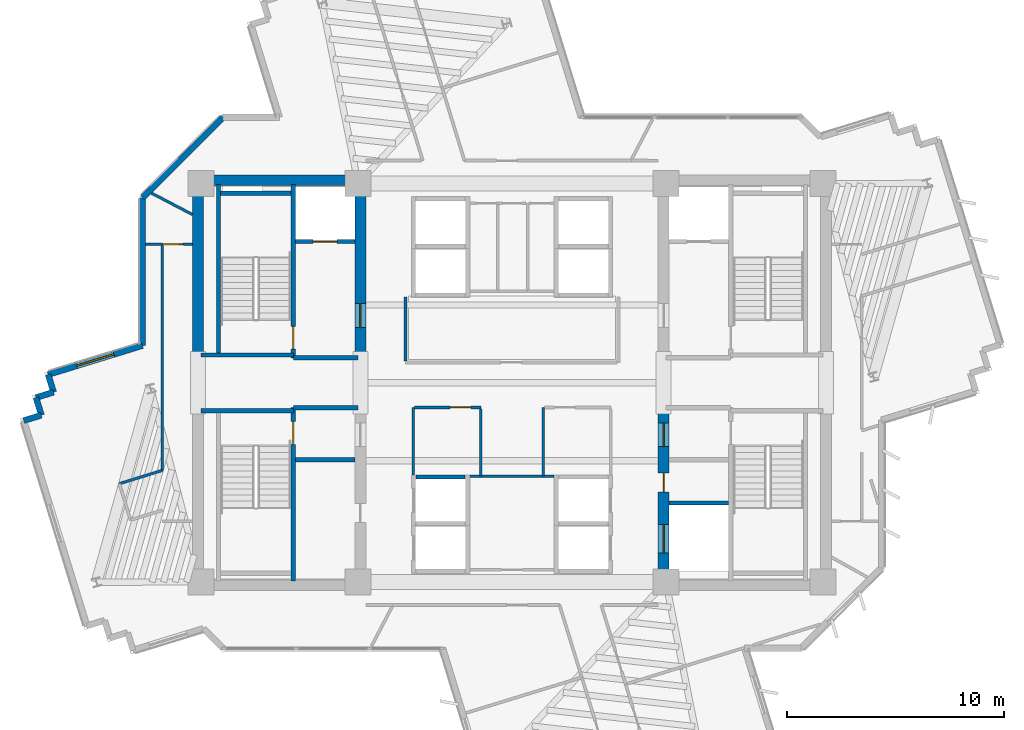
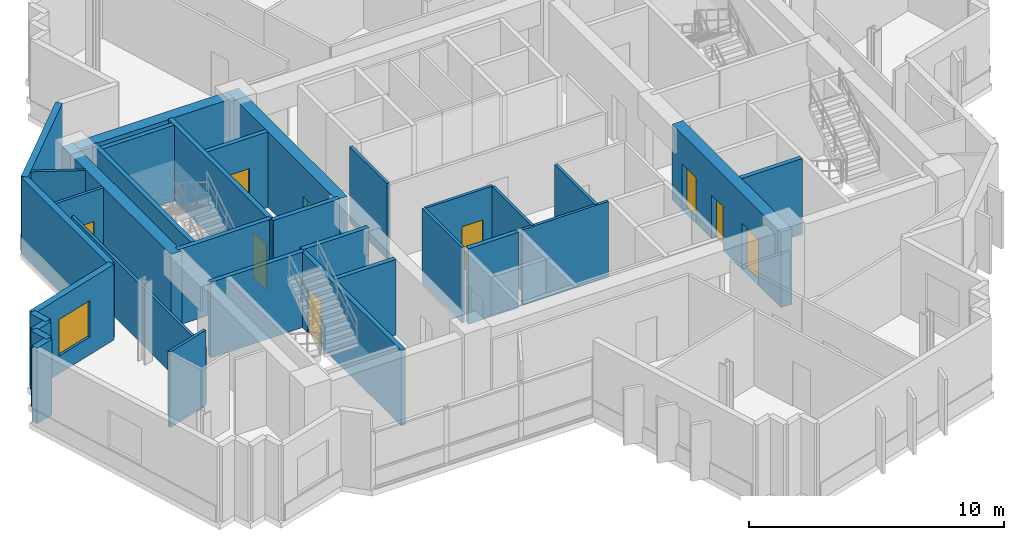
# One storey, part 6 of 13: 33 walls, 9 doors, 1 window, 10 openings.
"""IFC4 building model written with IfcOpenShell, lengths in metres."""

from ifc_helpers import new_model, si_unit, direction, frame, frame_2d, origin, place, context, subcontext, project, spatial, rectangle, extrude, source, transform, mapped, material, layer, layer_set, type_object, element, fill, save


model = new_model("IFC4")

# Units and contexts
model_context = context("Model", 3, precision=1e-05, world=origin(), true_north=direction((0.0, 1.0)))
body_context = subcontext(model_context, "Body", "Model", "MODEL_VIEW")
ifc_project = project(units=[si_unit("LENGTHUNIT", "METRE"), si_unit("AREAUNIT", "SQUARE_METRE"), si_unit("VOLUMEUNIT", "CUBIC_METRE"), si_unit("PLANEANGLEUNIT", "RADIAN"), si_unit("MASSUNIT", "GRAM", prefix="KILO")], contexts=[model_context])

# Site, building, storey
site_placement = place(None, origin())
site = spatial("IfcSite", under=ifc_project, at=site_placement, CompositionType="ELEMENT")
building_placement = place(site_placement, origin())
building = spatial("IfcBuilding", under=site, at=building_placement, Name="Zahravan Cultural Tower", CompositionType="ELEMENT")
storey_placement = place(building_placement, frame((0.0, 0.0, 213.60009765625)))
storey = spatial("IfcBuildingStorey", under=building, at=storey_placement, Name="L50", CompositionType="ELEMENT", Elevation=213.60009765625)

# Wall, opening, door
ifc_material_1 = material(Name="Concrete C60/75", Category="concrete")
ifc_layer_1 = layer(ifc_material_1, 0.5)
ifc_layer_set_1 = layer_set([ifc_layer_1], Name="Concrete C60/75")
wall_type_1 = type_object("IfcWallType", Name="CW-SHEAR-500-C60", PredefinedType="SHEAR", material=ifc_layer_set_1)
wall_1_placement = place(storey_placement, frame((29.0, 28.050048828125, 0.0), z_axis=(0.0, 0.0, 1.0), x_axis=(0.0, 1.0, 0.0)))
wall_1 = element("IfcWall", 1, at=wall_1_placement, inside=storey, type_object=wall_type_1, Name="L50 Core Shear Wall CW-W-EN-L50", PredefinedType="SHEAR", context=body_context, shape_type="SweptSolid", body=[
    extrude(rectangle(XDim=8.550048828125, YDim=0.5, at=frame_2d((4.27490234375, 0.0))), origin(), (0.0, 0.0, 1.0), 3.619873046875),
])
opening_1_placement = place(wall_1_placement, frame((1.5, 0.0, 0.0)))
opening_1 = element("IfcOpeningElement", 2, at=opening_1_placement, cuts=wall_1, Name="Opening D-L50-05", PredefinedType="OPENING", context=body_context, shape_type="SweptSolid", body=[
    extrude(rectangle(XDim=1.10009765625, YDim=2.199951171875, at=frame_2d((0.550048828125, 1.10009765625))), frame((0.0, 0.260009765625, 0.0), z_axis=(0.0, -1.0, 0.0), x_axis=(1.0, 0.0, 0.0)), (0.0, 0.0, 1.0), 0.52001953125),
])
ifc_material_2 = material(Name="Steel ASTM A572 Grade 50", Category="steel")
door_type_1 = type_object("IfcDoorType", Name="DR-LOBBY-1100", OperationType="NOTDEFINED", PredefinedType="DOOR", material=ifc_material_2)
shared_shape_1 = source(origin(), body_context, "Body", "SweptSolid", [
    extrude(rectangle(XDim=1.10009765625, YDim=2.199951171875, at=frame_2d((0.550048828125, 1.10009765625))), frame((0.0, 0.02490234375, 0.0), z_axis=(0.0, -1.0, 0.0), x_axis=(1.0, 0.0, 0.0)), (0.0, 0.0, 1.0), 0.050048828125),
])
door_1_placement = place(opening_1_placement, origin())
door_1 = element("IfcDoor", 3, at=door_1_placement, inside=storey, type_object=door_type_1, Name="L50 Door D-L50-05", OperationType="SINGLE_SWING_RIGHT", OverallHeight=2.199951171875, OverallWidth=1.10009765625, PredefinedType="DOOR", context=body_context, shape_type="MappedRepresentation", body=[
    mapped(shared_shape_1, transform((0.0, 0.0, 0.0), x_axis=(1.0, 0.0, 0.0), y_axis=(0.0, 1.0, 0.0), z_axis=(0.0, 0.0, 1.0), scale=1.0)),
])
fill(opening_1, door_1)

# Wall, openings, doors
wall_2_placement = place(storey_placement, frame((43.0, 17.39990234375, 0.0), z_axis=(0.0, 0.0, 1.0), x_axis=(0.0, 1.0, 0.0)))
wall_2 = element("IfcWall", 4, at=wall_2_placement, inside=storey, type_object=wall_type_1, Name="L50 Core Shear Wall CW-E-WS-L50", PredefinedType="SHEAR", context=body_context, shape_type="SweptSolid", body=[
    extrude(rectangle(XDim=8.550048828125, YDim=0.5, at=frame_2d((4.27490234375, 0.0))), origin(), (0.0, 0.0, 1.0), 3.619873046875),
])
opening_2_placement = place(wall_2_placement, frame((6.64990234375, 0.0, 0.0)))
opening_2 = element("IfcOpeningElement", 5, at=opening_2_placement, cuts=wall_2, Name="Opening D-L50-08", PredefinedType="OPENING", context=body_context, shape_type="SweptSolid", body=[
    extrude(rectangle(XDim=1.10009765625, YDim=2.199951171875, at=frame_2d((0.550048828125, 1.10009765625))), frame((0.0, 0.260009765625, 0.0), z_axis=(0.0, -1.0, 0.0), x_axis=(1.0, 0.0, 0.0)), (0.0, 0.0, 1.0), 0.52001953125),
])
opening_3_placement = place(wall_2_placement, frame((1.75, 0.0, 0.0)))
opening_3 = element("IfcOpeningElement", 6, at=opening_3_placement, cuts=wall_2, Name="Opening LD-L50-03", PredefinedType="OPENING", context=body_context, shape_type="SweptSolid", body=[
    extrude(rectangle(XDim=1.300048828125, YDim=2.199951171875, at=frame_2d((0.64990234375, 1.10009765625))), frame((0.0, 0.260009765625, 0.0), z_axis=(0.0, -1.0, 0.0), x_axis=(1.0, 0.0, 0.0)), (0.0, 0.0, 1.0), 0.52001953125),
])
opening_4_placement = place(wall_2_placement, frame((4.550048828125, 0.0, 0.0)))
opening_4 = element("IfcOpeningElement", 7, at=opening_4_placement, cuts=wall_2, Name="Opening D-L50-10", PredefinedType="OPENING", context=body_context, shape_type="SweptSolid", body=[
    extrude(rectangle(XDim=0.8798828125, YDim=2.10009765625, at=frame_2d((0.43994140625, 1.050048828125))), frame((0.0, 0.260009765625, 0.0), z_axis=(0.0, -1.0, 0.0), x_axis=(1.0, 0.0, 0.0)), (0.0, 0.0, 1.0), 0.52001953125),
])
door_2_placement = place(opening_2_placement, origin())
door_2 = element("IfcDoor", 8, at=door_2_placement, inside=storey, type_object=door_type_1, Name="L50 Door D-L50-08", OperationType="SINGLE_SWING_LEFT", OverallHeight=2.199951171875, OverallWidth=1.10009765625, PredefinedType="DOOR", context=body_context, shape_type="MappedRepresentation", body=[
    mapped(shared_shape_1, transform((0.0, 0.0, 0.0), x_axis=(1.0, 0.0, 0.0), y_axis=(0.0, 1.0, 0.0), z_axis=(0.0, 0.0, 1.0), scale=1.0)),
])
fill(opening_2, door_2)
door_type_2 = type_object("IfcDoorType", Name="DR-LIFT-1300", OperationType="DOUBLE_DOOR_SLIDING", PredefinedType="DOOR", material=ifc_material_2)
shared_shape_2 = source(origin(), body_context, "Body", "SweptSolid", [
    extrude(rectangle(XDim=1.300048828125, YDim=2.199951171875, at=frame_2d((0.64990234375, 1.10009765625))), frame((0.0, 0.02490234375, 0.0), z_axis=(0.0, -1.0, 0.0), x_axis=(1.0, 0.0, 0.0)), (0.0, 0.0, 1.0), 0.050048828125),
])
door_3_placement = place(opening_3_placement, origin())
door_3 = element("IfcDoor", 9, at=door_3_placement, inside=storey, type_object=door_type_2, Name="L50 Door LD-L50-03", OperationType="DOUBLE_DOOR_SLIDING", OverallHeight=2.199951171875, OverallWidth=1.300048828125, PredefinedType="DOOR", context=body_context, shape_type="MappedRepresentation", body=[
    mapped(shared_shape_2, transform((0.0, 0.0, 0.0), x_axis=(1.0, 0.0, 0.0), y_axis=(0.0, 1.0, 0.0), z_axis=(0.0, 0.0, 1.0), scale=1.0)),
])
fill(opening_3, door_3)
door_type_3 = type_object("IfcDoorType", Name="DR-SVC-880", OperationType="NOTDEFINED", PredefinedType="DOOR", material=ifc_material_2)
shared_shape_3 = source(origin(), body_context, "Body", "SweptSolid", [
    extrude(rectangle(XDim=0.8798828125, YDim=2.10009765625, at=frame_2d((0.43994140625, 1.050048828125))), frame((0.0, 0.02490234375, 0.0), z_axis=(0.0, -1.0, 0.0), x_axis=(1.0, 0.0, 0.0)), (0.0, 0.0, 1.0), 0.050048828125),
])
door_4_placement = place(opening_4_placement, origin())
door_4 = element("IfcDoor", 10, at=door_4_placement, inside=storey, type_object=door_type_3, Name="L50 Door D-L50-10", OperationType="SINGLE_SWING_LEFT", OverallHeight=2.10009765625, OverallWidth=0.8798828125, PredefinedType="DOOR", context=body_context, shape_type="MappedRepresentation", body=[
    mapped(shared_shape_3, transform((0.0, 0.0, 0.0), x_axis=(1.0, 0.0, 0.0), y_axis=(0.0, 1.0, 0.0), z_axis=(0.0, 0.0, 1.0), scale=1.0)),
])
fill(opening_4, door_4)

# Wall, opening, window
ifc_material_3 = material(Name="Precast concrete C40/50", Category="concrete")
ifc_layer_2 = layer(ifc_material_3, 0.280029296875)
ifc_layer_set_2 = layer_set([ifc_layer_2], Name="Precast concrete C40/50")
wall_type_2 = type_object("IfcWallType", Name="EW-TC-280", PredefinedType="SOLIDWALL", material=ifc_layer_set_2)
wall_3_placement = place(storey_placement, frame((14.581787109375, 27.37890625, 0.0), z_axis=(0.0, 0.0, 1.0), x_axis=(0.955788269664, 0.294055749089, 0.0)))
wall_3 = element("IfcWall", 11, at=wall_3_placement, inside=storey, type_object=wall_type_2, Name="L50 Exterior Masonry Frame Wall 37", PredefinedType="SOLIDWALL", context=body_context, shape_type="SweptSolid", body=[
    extrude(rectangle(XDim=4.559814453125, YDim=0.280029296875, at=frame_2d((2.27978515625, 0.0))), origin(), (0.0, 0.0, 1.0), 3.619873046875),
])
opening_5_placement = place(wall_3_placement, frame((1.3798828125, 0.0, 0.85009765625)))
opening_5 = element("IfcOpeningElement", 12, at=opening_5_placement, cuts=wall_3, Name="Opening WN-02", PredefinedType="OPENING", context=body_context, shape_type="SweptSolid", body=[
    extrude(rectangle(XDim=1.800048828125, YDim=1.75, at=frame_2d((0.89990234375, 0.875))), frame((0.0, 0.14990234375, 0.0), z_axis=(0.0, -1.0, 0.0), x_axis=(1.0, 0.0, 0.0)), (0.0, 0.0, 1.0), 0.300048828125),
])
ifc_material_4 = material(Name="Low-E solar-control double glazing", Category="glass")
window_type = type_object("IfcWindowType", Name="WN-REC-1800X1750", PartitioningType="DOUBLE_PANEL_VERTICAL", PredefinedType="WINDOW", material=ifc_material_4)
shared_shape_4 = source(origin(), body_context, "Body", "SweptSolid", [
    extrude(rectangle(XDim=1.800048828125, YDim=1.75, at=frame_2d((0.89990234375, 0.875))), frame((0.0, 0.030029296875, 0.0), z_axis=(0.0, -1.0, 0.0), x_axis=(1.0, 0.0, 0.0)), (0.0, 0.0, 1.0), 0.06005859375),
])
window_placement = place(opening_5_placement, origin())
window = element("IfcWindow", 13, at=window_placement, inside=storey, type_object=window_type, Name="L50 Recessed Solar Window 08", OverallHeight=1.75, OverallWidth=1.800048828125, PartitioningType="DOUBLE_PANEL_VERTICAL", PredefinedType="WINDOW", context=body_context, shape_type="MappedRepresentation", body=[
    mapped(shared_shape_4, transform((0.0, 0.0, 0.0), x_axis=(1.0, 0.0, 0.0), y_axis=(0.0, 1.0, 0.0), z_axis=(0.0, 0.0, 1.0), scale=1.0)),
])
fill(opening_5, window)

# Wall, opening, door
ifc_material_5 = material(Name="Gypsum plasterboard partition")
ifc_layer_3 = layer(ifc_material_5, 0.125)
ifc_layer_set_3 = layer_set([ifc_layer_3], Name="Gypsum plasterboard partition")
wall_type_3 = type_object("IfcWallType", Name="W-PART-125", PredefinedType="PARTITIONING", material=ifc_layer_set_3)
wall_4_placement = place(storey_placement, frame((31.507568359375, 25.860107421875, 0.0), z_axis=(0.0, 0.0, 1.0), x_axis=(1.0, 0.0, 0.0)))
wall_4 = element("IfcWall", 14, at=wall_4_placement, inside=storey, type_object=wall_type_3, Name="L50 Interior Wall 067", PredefinedType="PARTITIONING", context=body_context, shape_type="SweptSolid", body=[
    extrude(rectangle(XDim=3.052490234375, YDim=0.125, at=frame_2d((1.5263671875, 0.0))), origin(), (0.0, 0.0, 1.0), 3.619873046875),
])
opening_6_placement = place(wall_4_placement, frame((1.639892578125, 0.0, 0.0)))
opening_6 = element("IfcOpeningElement", 15, at=opening_6_placement, cuts=wall_4, Name="Opening D-L50-11", PredefinedType="OPENING", context=body_context, shape_type="SweptSolid", body=[
    extrude(rectangle(XDim=0.949951171875, YDim=2.14990234375, at=frame_2d((0.47509765625, 1.074951171875))), frame((0.0, 0.072509765625, 0.0), z_axis=(0.0, -1.0, 0.0), x_axis=(1.0, 0.0, 0.0)), (0.0, 0.0, 1.0), 0.14501953125),
])
ifc_material_6 = material(Name="Anodised bronze-aluminium mullion", Category="aluminium")
door_type_4 = type_object("IfcDoorType", Name="DR-ROOM-950", OperationType="NOTDEFINED", PredefinedType="DOOR", material=ifc_material_6)
shared_shape_5 = source(origin(), body_context, "Body", "SweptSolid", [
    extrude(rectangle(XDim=0.949951171875, YDim=2.14990234375, at=frame_2d((0.47509765625, 1.074951171875))), frame((0.0, 0.02490234375, 0.0), z_axis=(0.0, -1.0, 0.0), x_axis=(1.0, 0.0, 0.0)), (0.0, 0.0, 1.0), 0.050048828125),
])
door_5_placement = place(opening_6_placement, origin())
door_5 = element("IfcDoor", 16, at=door_5_placement, inside=storey, type_object=door_type_4, Name="L50 Door D-L50-11", OperationType="SINGLE_SWING_RIGHT", OverallHeight=2.14990234375, OverallWidth=0.949951171875, PredefinedType="DOOR", context=body_context, shape_type="MappedRepresentation", body=[
    mapped(shared_shape_5, transform((0.0, 0.0, 0.0), x_axis=(1.0, 0.0, 0.0), y_axis=(0.0, 1.0, 0.0), z_axis=(0.0, 0.0, 1.0), scale=1.0)),
])
fill(opening_6, door_5)

wall_5_placement = place(storey_placement, frame((21.2451171875, 33.39990234375, 0.0), z_axis=(0.0, 0.0, 1.0), x_axis=(-0.999994277874, -0.003382930575, 0.0)))
wall_5 = element("IfcWall", 17, at=wall_5_placement, inside=storey, type_object=wall_type_3, Name="L50 Interior Wall 107", PredefinedType="PARTITIONING", context=body_context, shape_type="SweptSolid", body=[
    extrude(rectangle(XDim=2.1650390625, YDim=0.125, at=frame_2d((1.08251953125, 0.0))), origin(), (0.0, 0.0, 1.0), 3.619873046875),
])
opening_7_placement = place(wall_5_placement, frame((0.42529296875, 0.0, 0.0)))
opening_7 = element("IfcOpeningElement", 18, at=opening_7_placement, cuts=wall_5, Name="Opening D-L50-24", PredefinedType="OPENING", context=body_context, shape_type="SweptSolid", body=[
    extrude(rectangle(XDim=0.949951171875, YDim=2.14990234375, at=frame_2d((0.47509765625, 1.074951171875))), frame((0.0, 0.072509765625, 0.0), z_axis=(0.0, -1.0, 0.0), x_axis=(1.0, 0.0, 0.0)), (0.0, 0.0, 1.0), 0.14501953125),
])
door_6_placement = place(opening_7_placement, origin())
door_6 = element("IfcDoor", 19, at=door_6_placement, inside=storey, type_object=door_type_4, Name="L50 Door D-L50-24", OperationType="SINGLE_SWING_LEFT", OverallHeight=2.14990234375, OverallWidth=0.949951171875, PredefinedType="DOOR", context=body_context, shape_type="MappedRepresentation", body=[
    mapped(shared_shape_5, transform((0.0, 0.0, 0.0), x_axis=(1.0, 0.0, 0.0), y_axis=(0.0, 1.0, 0.0), z_axis=(0.0, 0.0, 1.0), scale=1.0)),
])
fill(opening_7, door_6)

ifc_material_7 = material(Name="Concrete C45/55", Category="concrete")
ifc_layer_4 = layer(ifc_material_7, 0.199951171875)
ifc_layer_set_4 = layer_set([ifc_layer_4], Name="Concrete C45/55")
wall_type_4 = type_object("IfcWallType", Name="W-SHAFT-200", PredefinedType="SOLIDWALL", material=ifc_layer_set_4)
wall_6_placement = place(storey_placement, frame((25.89990234375, 17.85009765625, 0.0), z_axis=(0.0, 0.0, 1.0), x_axis=(0.0, 1.0, 0.0)))
wall_6 = element("IfcWall", 20, at=wall_6_placement, inside=storey, type_object=wall_type_4, Name="L50 Interior Wall 005", PredefinedType="SOLIDWALL", context=body_context, shape_type="SweptSolid", body=[
    extrude(rectangle(XDim=8.0, YDim=0.199951171875, at=frame_2d((4.0, 0.0))), origin(), (0.0, 0.0, 1.0), 3.619873046875),
])
opening_8_placement = place(wall_6_placement, frame((6.300048828125, 0.0, 0.0)))
opening_8 = element("IfcOpeningElement", 21, at=opening_8_placement, cuts=wall_6, Name="Opening D-L50-04", PredefinedType="OPENING", context=body_context, shape_type="SweptSolid", body=[
    extrude(rectangle(XDim=1.050048828125, YDim=2.14990234375, at=frame_2d((0.52490234375, 1.074951171875))), frame((0.0, 0.10986328125, 0.0), z_axis=(0.0, -1.0, 0.0), x_axis=(1.0, 0.0, 0.0)), (0.0, 0.0, 1.0), 0.219970703125),
])
door_type_5 = type_object("IfcDoorType", Name="DR-STAIR-1050", OperationType="NOTDEFINED", PredefinedType="DOOR", material=ifc_material_2)
shared_shape_6 = source(origin(), body_context, "Body", "SweptSolid", [
    extrude(rectangle(XDim=1.050048828125, YDim=2.14990234375, at=frame_2d((0.52490234375, 1.074951171875))), frame((0.0, 0.02490234375, 0.0), z_axis=(0.0, -1.0, 0.0), x_axis=(1.0, 0.0, 0.0)), (0.0, 0.0, 1.0), 0.050048828125),
])
door_7_placement = place(opening_8_placement, origin())
door_7 = element("IfcDoor", 22, at=door_7_placement, inside=storey, type_object=door_type_5, Name="L50 Door D-L50-04", OperationType="SINGLE_SWING_LEFT", OverallHeight=2.14990234375, OverallWidth=1.050048828125, PredefinedType="DOOR", context=body_context, shape_type="MappedRepresentation", body=[
    mapped(shared_shape_6, transform((0.0, 0.0, 0.0), x_axis=(1.0, 0.0, 0.0), y_axis=(0.0, 1.0, 0.0), z_axis=(0.0, 0.0, 1.0), scale=1.0)),
])
fill(opening_8, door_7)

wall_7_placement = place(storey_placement, frame((25.89990234375, 28.14990234375, 0.0), z_axis=(0.0, 0.0, 1.0), x_axis=(0.0, 1.0, 0.0)))
wall_7 = element("IfcWall", 23, at=wall_7_placement, inside=storey, type_object=wall_type_4, Name="L50 Interior Wall 006", PredefinedType="SOLIDWALL", context=body_context, shape_type="SweptSolid", body=[
    extrude(rectangle(XDim=8.0, YDim=0.199951171875, at=frame_2d((4.0, 0.0))), origin(), (0.0, 0.0, 1.0), 3.619873046875),
])
opening_9_placement = place(wall_7_placement, frame((0.39990234375, 0.0, 0.0)))
opening_9 = element("IfcOpeningElement", 24, at=opening_9_placement, cuts=wall_7, Name="Opening D-L50-01", PredefinedType="OPENING", context=body_context, shape_type="SweptSolid", body=[
    extrude(rectangle(XDim=1.050048828125, YDim=2.14990234375, at=frame_2d((0.52490234375, 1.074951171875))), frame((0.0, 0.10986328125, 0.0), z_axis=(0.0, -1.0, 0.0), x_axis=(1.0, 0.0, 0.0)), (0.0, 0.0, 1.0), 0.219970703125),
])
door_8_placement = place(opening_9_placement, origin())
door_8 = element("IfcDoor", 25, at=door_8_placement, inside=storey, type_object=door_type_5, Name="L50 Door D-L50-01", OperationType="SINGLE_SWING_RIGHT", OverallHeight=2.14990234375, OverallWidth=1.050048828125, PredefinedType="DOOR", context=body_context, shape_type="MappedRepresentation", body=[
    mapped(shared_shape_6, transform((0.0, 0.0, 0.0), x_axis=(1.0, 0.0, 0.0), y_axis=(0.0, 1.0, 0.0), z_axis=(0.0, 0.0, 1.0), scale=1.0)),
])
fill(opening_9, door_8)

wall_8_placement = place(storey_placement, frame((26.0, 33.52001953125, 0.0), z_axis=(0.0, 0.0, 1.0), x_axis=(1.0, 0.0, 0.0)))
wall_8 = element("IfcWall", 26, at=wall_8_placement, inside=storey, type_object=wall_type_4, Name="L50 Interior Wall 021", PredefinedType="SOLIDWALL", context=body_context, shape_type="SweptSolid", body=[
    extrude(rectangle(XDim=2.75, YDim=0.199951171875, at=frame_2d((1.375, 0.0))), origin(), (0.0, 0.0, 1.0), 3.619873046875),
])
opening_10_placement = place(wall_8_placement, frame((0.820068359375, 0.0, 0.0)))
opening_10 = element("IfcOpeningElement", 27, at=opening_10_placement, cuts=wall_8, Name="Opening LD-L50-01", PredefinedType="OPENING", context=body_context, shape_type="SweptSolid", body=[
    extrude(rectangle(XDim=1.10009765625, YDim=2.14990234375, at=frame_2d((0.550048828125, 1.074951171875))), frame((0.0, 0.10986328125, 0.0), z_axis=(0.0, -1.0, 0.0), x_axis=(1.0, 0.0, 0.0)), (0.0, 0.0, 1.0), 0.219970703125),
])
door_type_6 = type_object("IfcDoorType", Name="DR-LIFT-1100", OperationType="DOUBLE_DOOR_SLIDING", PredefinedType="DOOR", material=ifc_material_2)
shared_shape_7 = source(origin(), body_context, "Body", "SweptSolid", [
    extrude(rectangle(XDim=1.10009765625, YDim=2.14990234375, at=frame_2d((0.550048828125, 1.074951171875))), frame((0.0, 0.02490234375, 0.0), z_axis=(0.0, -1.0, 0.0), x_axis=(1.0, 0.0, 0.0)), (0.0, 0.0, 1.0), 0.050048828125),
])
door_9_placement = place(opening_10_placement, origin())
door_9 = element("IfcDoor", 28, at=door_9_placement, inside=storey, type_object=door_type_6, Name="L50 Door LD-L50-01", OperationType="DOUBLE_DOOR_SLIDING", OverallHeight=2.14990234375, OverallWidth=1.10009765625, PredefinedType="DOOR", context=body_context, shape_type="MappedRepresentation", body=[
    mapped(shared_shape_7, transform((0.0, 0.0, 0.0), x_axis=(1.0, 0.0, 0.0), y_axis=(0.0, 1.0, 0.0), z_axis=(0.0, 0.0, 1.0), scale=1.0)),
])
fill(opening_10, door_9)

# Walls
shared_shape_8 = source(origin(), body_context, "Body", "SweptSolid", [
    extrude(rectangle(XDim=8.550048828125, YDim=0.5, at=frame_2d((4.27490234375, 0.0))), origin(), (0.0, 0.0, 1.0), 3.619873046875),
])
wall_9_placement = place(storey_placement, frame((21.5, 28.050048828125, 0.0), z_axis=(0.0, 0.0, 1.0), x_axis=(0.0, 1.0, 0.0)))
element("IfcWall", 29, at=wall_9_placement, inside=storey, type_object=wall_type_1, Name="L50 Core Shear Wall CW-W-WN-L50", PredefinedType="SHEAR", context=body_context, shape_type="MappedRepresentation", body=[
    mapped(shared_shape_8, transform((0.0, 0.0, 0.0), x_axis=(1.0, 0.0, 0.0), y_axis=(0.0, 1.0, 0.0), z_axis=(0.0, 0.0, 1.0), scale=1.0)),
])
shared_shape_9 = source(origin(), body_context, "Body", "SweptSolid", [
    extrude(rectangle(XDim=7.0, YDim=0.5, at=frame_2d((3.5, 0.0))), origin(), (0.0, 0.0, 1.0), 3.619873046875),
])
wall_10_placement = place(storey_placement, frame((21.75, 36.35009765625, 0.0), z_axis=(0.0, 0.0, 1.0), x_axis=(1.0, 0.0, 0.0)))
element("IfcWall", 30, at=wall_10_placement, inside=storey, type_object=wall_type_1, Name="L50 Core Shear Wall CW-W-N-L50", PredefinedType="SHEAR", context=body_context, shape_type="MappedRepresentation", body=[
    mapped(shared_shape_9, transform((0.0, 0.0, 0.0), x_axis=(1.0, 0.0, 0.0), y_axis=(0.0, 1.0, 0.0), z_axis=(0.0, 0.0, 1.0), scale=1.0)),
])
shared_shape_10 = source(origin(), body_context, "Body", "SweptSolid", [
    extrude(rectangle(XDim=0.85009765625, YDim=0.280029296875, at=frame_2d((0.425048828125, 0.0))), origin(), (0.0, 0.0, 1.0), 3.619873046875),
])
for number, where, z_axis, x_axis, name in (
    (31, (13.456787109375, 25.254150390625, 0.0), (0.0, 0.0, 1.0), (0.955779008722, 0.294085848838, 0.0), "L50 Exterior Masonry Frame Wall 33"),
    (32, (14.019287109375, 26.31640625, 0.0), (0.0, 0.0, 1.0), (0.955779008722, 0.294085848838, 0.0), "L50 Exterior Masonry Frame Wall 35"),
    (33, (14.831787109375, 26.56640625, 0.0), (0.0, 0.0, 1.0), (-0.294085848838, 0.955779008722, 0.0), "L50 Exterior Masonry Frame Wall 36"),
):
    element("IfcWall", number, at=place(storey_placement, frame(where, z_axis=z_axis, x_axis=x_axis)), inside=storey, type_object=wall_type_2, Name=name, PredefinedType="SOLIDWALL", context=body_context, shape_type="MappedRepresentation", body=[
        mapped(shared_shape_10, transform((0.0, 0.0, 0.0), x_axis=(1.0, 0.0, 0.0), y_axis=(0.0, 1.0, 0.0), z_axis=(0.0, 0.0, 1.0), scale=1.0)),
    ])
shared_shape_11 = source(origin(), body_context, "Body", "SweptSolid", [
    extrude(rectangle(XDim=5.258056640625, YDim=0.280029296875, at=frame_2d((2.62890625, 0.0))), origin(), (0.0, 0.0, 1.0), 3.619873046875),
])
wall_11_placement = place(storey_placement, frame((18.93994140625, 35.5419921875, 0.0), z_axis=(0.0, 0.0, 1.0), x_axis=(0.707106781187, 0.707106781187, 0.0)))
element("IfcWall", 34, at=wall_11_placement, inside=storey, type_object=wall_type_2, Name="L50 Exterior Masonry Frame Wall 39", PredefinedType="SOLIDWALL", context=body_context, shape_type="MappedRepresentation", body=[
    mapped(shared_shape_11, transform((0.0, 0.0, 0.0), x_axis=(1.0, 0.0, 0.0), y_axis=(0.0, 1.0, 0.0), z_axis=(0.0, 0.0, 1.0), scale=1.0)),
])
shared_shape_12 = source(origin(), body_context, "Body", "SweptSolid", [
    extrude(rectangle(XDim=0.849853515625, YDim=0.280029296875, at=frame_2d((0.4248046875, 0.0))), origin(), (0.0, 0.0, 1.0), 3.619873046875),
])
wall_12_placement = place(storey_placement, frame((14.269287109375, 25.504150390625, 0.0), z_axis=(0.0, 0.0, 1.0), x_axis=(-0.294166594531, 0.95575416016, 0.0)))
element("IfcWall", 35, at=wall_12_placement, inside=storey, type_object=wall_type_2, Name="L50 Exterior Masonry Frame Wall 34", PredefinedType="SOLIDWALL", context=body_context, shape_type="MappedRepresentation", body=[
    mapped(shared_shape_12, transform((0.0, 0.0, 0.0), x_axis=(1.0, 0.0, 0.0), y_axis=(0.0, 1.0, 0.0), z_axis=(0.0, 0.0, 1.0), scale=1.0)),
])
shared_shape_13 = source(origin(), body_context, "Body", "SweptSolid", [
    extrude(rectangle(XDim=6.822265625, YDim=0.280029296875, at=frame_2d((3.4111328125, 0.0))), origin(), (0.0, 0.0, 1.0), 3.619873046875),
])
wall_13_placement = place(storey_placement, frame((18.93994140625, 28.7197265625, 0.0), z_axis=(0.0, 0.0, 1.0), x_axis=(0.0, 1.0, 0.0)))
element("IfcWall", 36, at=wall_13_placement, inside=storey, type_object=wall_type_2, Name="L50 Exterior Masonry Frame Wall 38", PredefinedType="SOLIDWALL", context=body_context, shape_type="MappedRepresentation", body=[
    mapped(shared_shape_13, transform((0.0, 0.0, 0.0), x_axis=(1.0, 0.0, 0.0), y_axis=(0.0, 1.0, 0.0), z_axis=(0.0, 0.0, 1.0), scale=1.0)),
])
shared_shape_14 = source(origin(), body_context, "Body", "SweptSolid", [
    extrude(rectangle(XDim=7.869873046875, YDim=0.199951171875, at=frame_2d((3.93505859375, 0.0))), origin(), (0.0, 0.0, 1.0), 3.619873046875),
])
wall_14_placement = place(storey_placement, frame((22.449951171875, 28.280029296875, 0.0), z_axis=(0.0, 0.0, 1.0), x_axis=(0.0, 1.0, 0.0)))
element("IfcWall", 37, at=wall_14_placement, inside=storey, type_object=wall_type_4, Name="L50 Interior Wall 002", PredefinedType="SOLIDWALL", context=body_context, shape_type="MappedRepresentation", body=[
    mapped(shared_shape_14, transform((0.0, 0.0, 0.0), x_axis=(1.0, 0.0, 0.0), y_axis=(0.0, 1.0, 0.0), z_axis=(0.0, 0.0, 1.0), scale=1.0)),
])
shared_shape_15 = source(origin(), body_context, "Body", "SweptSolid", [
    extrude(rectangle(XDim=4.25, YDim=0.199951171875, at=frame_2d((2.125, 0.0))), origin(), (0.0, 0.0, 1.0), 3.619873046875),
])
for number, where, z_axis, x_axis, name in (
    (38, (21.64990234375, 25.715087890625, 0.0), (0.0, 0.0, 1.0), (1.0, 0.0, 0.0), "L50 Interior Wall 009"),
    (39, (21.64990234375, 28.284912109375, 0.0), (0.0, 0.0, 1.0), (1.0, 0.0, 0.0), "L50 Interior Wall 011"),
):
    element("IfcWall", number, at=place(storey_placement, frame(where, z_axis=z_axis, x_axis=x_axis)), inside=storey, type_object=wall_type_4, Name=name, PredefinedType="SOLIDWALL", context=body_context, shape_type="MappedRepresentation", body=[
        mapped(shared_shape_15, transform((0.0, 0.0, 0.0), x_axis=(1.0, 0.0, 0.0), y_axis=(0.0, 1.0, 0.0), z_axis=(0.0, 0.0, 1.0), scale=1.0)),
    ])
shared_shape_16 = source(origin(), body_context, "Body", "SweptSolid", [
    extrude(rectangle(XDim=3.0, YDim=0.199951171875, at=frame_2d((1.5, 0.0))), origin(), (0.0, 0.0, 1.0), 3.619873046875),
])
for number, where, z_axis, x_axis, name in (
    (40, (25.89990234375, 25.85009765625, 0.0), (0.0, 0.0, 1.0), (1.0, 0.0, 0.0), "L50 Interior Wall 010"),
    (41, (25.89990234375, 28.14990234375, 0.0), (0.0, 0.0, 1.0), (1.0, 0.0, 0.0), "L50 Interior Wall 012"),
):
    element("IfcWall", number, at=place(storey_placement, frame(where, z_axis=z_axis, x_axis=x_axis)), inside=storey, type_object=wall_type_4, Name=name, PredefinedType="SOLIDWALL", context=body_context, shape_type="MappedRepresentation", body=[
        mapped(shared_shape_16, transform((0.0, 0.0, 0.0), x_axis=(1.0, 0.0, 0.0), y_axis=(0.0, 1.0, 0.0), z_axis=(0.0, 0.0, 1.0), scale=1.0)),
    ])
shared_shape_17 = source(origin(), body_context, "Body", "SweptSolid", [
    extrude(rectangle(XDim=3.25, YDim=0.199951171875, at=frame_2d((1.625, 0.0))), origin(), (0.0, 0.0, 1.0), 3.619873046875),
])
wall_15_placement = place(storey_placement, frame((22.550048828125, 35.75, 0.0), z_axis=(0.0, 0.0, 1.0), x_axis=(1.0, 0.0, 0.0)))
element("IfcWall", 42, at=wall_15_placement, inside=storey, type_object=wall_type_4, Name="L50 Interior Wall 017", PredefinedType="SOLIDWALL", context=body_context, shape_type="MappedRepresentation", body=[
    mapped(shared_shape_17, transform((0.0, 0.0, 0.0), x_axis=(1.0, 0.0, 0.0), y_axis=(0.0, 1.0, 0.0), z_axis=(0.0, 0.0, 1.0), scale=1.0)),
])
shared_shape_18 = source(origin(), body_context, "Body", "SweptSolid", [
    extrude(rectangle(XDim=2.75, YDim=0.199951171875, at=frame_2d((1.375, 0.0))), origin(), (0.0, 0.0, 1.0), 3.619873046875),
])
for number, where, z_axis, x_axis, name in (
    (43, (26.0, 23.449951171875, 0.0), (0.0, 0.0, 1.0), (1.0, 0.0, 0.0), "L50 Interior Wall 023"),
    (44, (43.25, 21.449951171875, 0.0), (0.0, 0.0, 1.0), (1.0, 0.0, 0.0), "L50 Interior Wall 025"),
):
    element("IfcWall", number, at=place(storey_placement, frame(where, z_axis=z_axis, x_axis=x_axis)), inside=storey, type_object=wall_type_4, Name=name, PredefinedType="SOLIDWALL", context=body_context, shape_type="MappedRepresentation", body=[
        mapped(shared_shape_18, transform((0.0, 0.0, 0.0), x_axis=(1.0, 0.0, 0.0), y_axis=(0.0, 1.0, 0.0), z_axis=(0.0, 0.0, 1.0), scale=1.0)),
    ])
shared_shape_19 = source(origin(), body_context, "Body", "SweptSolid", [
    extrude(rectangle(XDim=2.260009765625, YDim=0.199951171875, at=frame_2d((1.1298828125, 0.0))), origin(), (0.0, 0.0, 1.0), 3.619873046875),
])
wall_16_placement = place(storey_placement, frame((31.570068359375, 22.64990234375, 0.0), z_axis=(0.0, 0.0, 1.0), x_axis=(1.0, 0.0, 0.0)))
element("IfcWall", 45, at=wall_16_placement, inside=storey, type_object=wall_type_4, Name="L50 Interior Wall 043", PredefinedType="SOLIDWALL", context=body_context, shape_type="MappedRepresentation", body=[
    mapped(shared_shape_19, transform((0.0, 0.0, 0.0), x_axis=(1.0, 0.0, 0.0), y_axis=(0.0, 1.0, 0.0), z_axis=(0.0, 0.0, 1.0), scale=1.0)),
])
shared_shape_20 = source(origin(), body_context, "Body", "SweptSolid", [
    extrude(rectangle(XDim=3.110107421875, YDim=0.125, at=frame_2d((1.55517578125, 0.0))), origin(), (0.0, 0.0, 1.0), 3.619873046875),
])
wall_17_placement = place(storey_placement, frame((31.43994140625, 22.75, 0.0), z_axis=(0.0, 0.0, 1.0), x_axis=(0.0, 1.0, 0.0)))
element("IfcWall", 46, at=wall_17_placement, inside=storey, type_object=wall_type_3, Name="L50 Interior Wall 066", PredefinedType="PARTITIONING", context=body_context, shape_type="MappedRepresentation", body=[
    mapped(shared_shape_20, transform((0.0, 0.0, 0.0), x_axis=(1.0, 0.0, 0.0), y_axis=(0.0, 1.0, 0.0), z_axis=(0.0, 0.0, 1.0), scale=1.0)),
])
shared_shape_21 = source(origin(), body_context, "Body", "SweptSolid", [
    extrude(rectangle(XDim=3.1025390625, YDim=0.125, at=frame_2d((1.55126953125, 0.0))), origin(), (0.0, 0.0, 1.0), 3.619873046875),
])
wall_18_placement = place(storey_placement, frame((34.56005859375, 25.79248046875, 0.0), z_axis=(0.0, 0.0, 1.0), x_axis=(0.0, -1.0, 0.0)))
element("IfcWall", 47, at=wall_18_placement, inside=storey, type_object=wall_type_3, Name="L50 Interior Wall 068", PredefinedType="PARTITIONING", context=body_context, shape_type="MappedRepresentation", body=[
    mapped(shared_shape_21, transform((0.0, 0.0, 0.0), x_axis=(1.0, 0.0, 0.0), y_axis=(0.0, 1.0, 0.0), z_axis=(0.0, 0.0, 1.0), scale=1.0)),
])
shared_shape_22 = source(origin(), body_context, "Body", "SweptSolid", [
    extrude(rectangle(XDim=3.170166015625, YDim=0.125, at=frame_2d((1.5849609375, 0.0))), origin(), (0.0, 0.0, 1.0), 3.619873046875),
])
wall_19_placement = place(storey_placement, frame((37.43994140625, 22.68994140625, 0.0), z_axis=(0.0, 0.0, 1.0), x_axis=(0.0, 1.0, 0.0)))
element("IfcWall", 48, at=wall_19_placement, inside=storey, type_object=wall_type_3, Name="L50 Interior Wall 069", PredefinedType="PARTITIONING", context=body_context, shape_type="MappedRepresentation", body=[
    mapped(shared_shape_22, transform((0.0, 0.0, 0.0), x_axis=(1.0, 0.0, 0.0), y_axis=(0.0, 1.0, 0.0), z_axis=(0.0, 0.0, 1.0), scale=1.0)),
])
shared_shape_23 = source(origin(), body_context, "Body", "SweptSolid", [
    extrude(rectangle(XDim=3.89013671875, YDim=0.125, at=frame_2d((1.945068359375, 0.0))), origin(), (0.0, 0.0, 1.0), 3.619873046875),
])
wall_20_placement = place(storey_placement, frame((34.054931640625, 22.679931640625, 0.0), z_axis=(0.0, 0.0, 1.0), x_axis=(1.0, 0.0, 0.0)))
element("IfcWall", 49, at=wall_20_placement, inside=storey, type_object=wall_type_3, Name="L50 Interior Wall 072", PredefinedType="PARTITIONING", context=body_context, shape_type="MappedRepresentation", body=[
    mapped(shared_shape_23, transform((0.0, 0.0, 0.0), x_axis=(1.0, 0.0, 0.0), y_axis=(0.0, 1.0, 0.0), z_axis=(0.0, 0.0, 1.0), scale=1.0)),
])
shared_shape_24 = source(origin(), body_context, "Body", "SweptSolid", [
    extrude(rectangle(XDim=2.9423828125, YDim=0.125, at=frame_2d((1.47119140625, 0.0))), origin(), (0.0, 0.0, 1.0), 3.619873046875),
])
wall_21_placement = place(storey_placement, frame((31.080078125, 28.007568359375, 0.0), z_axis=(0.0, 0.0, 1.0), x_axis=(0.0, 1.0, 0.0)))
element("IfcWall", 50, at=wall_21_placement, inside=storey, type_object=wall_type_3, Name="L50 Interior Wall 089", PredefinedType="PARTITIONING", context=body_context, shape_type="MappedRepresentation", body=[
    mapped(shared_shape_24, transform((0.0, 0.0, 0.0), x_axis=(1.0, 0.0, 0.0), y_axis=(0.0, 1.0, 0.0), z_axis=(0.0, 0.0, 1.0), scale=1.0)),
])
shared_shape_25 = source(origin(), body_context, "Body", "SweptSolid", [
    extrude(rectangle(XDim=2.130126953125, YDim=0.125, at=frame_2d((1.06494140625, 0.0))), origin(), (0.0, 0.0, 1.0), 3.619873046875),
])
wall_22_placement = place(storey_placement, frame((21.2451171875, 34.76708984375, 0.0), z_axis=(0.0, 0.0, 1.0), x_axis=(-0.885975067717, 0.46373287503, 0.0)))
element("IfcWall", 51, at=wall_22_placement, inside=storey, type_object=wall_type_3, Name="L50 Interior Wall 102", PredefinedType="PARTITIONING", context=body_context, shape_type="MappedRepresentation", body=[
    mapped(shared_shape_25, transform((0.0, 0.0, 0.0), x_axis=(1.0, 0.0, 0.0), y_axis=(0.0, 1.0, 0.0), z_axis=(0.0, 0.0, 1.0), scale=1.0)),
])
shared_shape_26 = source(origin(), body_context, "Body", "SweptSolid", [
    extrude(rectangle(XDim=10.375244140625, YDim=0.125, at=frame_2d((5.1875, 0.0))), origin(), (0.0, 0.0, 1.0), 2.765869140625),
])
wall_23_placement = place(storey_placement, frame((19.851318359375, 33.32763671875, 0.0), z_axis=(0.0, 0.0, 1.0), x_axis=(-0.000117655363, -0.999999993079, 0.0)))
element("IfcWall", 52, at=wall_23_placement, inside=storey, type_object=wall_type_3, Name="L50 Interior Wall 108", PredefinedType="PARTITIONING", context=body_context, shape_type="MappedRepresentation", body=[
    mapped(shared_shape_26, transform((0.0, 0.0, 0.0), x_axis=(1.0, 0.0, 0.0), y_axis=(0.0, 1.0, 0.0), z_axis=(0.0, 0.0, 1.0), scale=1.0)),
])
shared_shape_27 = source(origin(), body_context, "Body", "SweptSolid", [
    extrude(rectangle(XDim=2.07275390625, YDim=0.125, at=frame_2d((1.036376953125, 0.0))), origin(), (0.0, 0.0, 1.0), 3.619873046875),
])
wall_24_placement = place(storey_placement, frame((19.85009765625, 22.952392578125, 0.0), z_axis=(0.0, 0.0, 1.0), x_axis=(-0.955304107125, -0.295624868559, 0.0)))
element("IfcWall", 53, at=wall_24_placement, inside=storey, type_object=wall_type_3, Name="L50 Interior Wall 109", PredefinedType="PARTITIONING", context=body_context, shape_type="MappedRepresentation", body=[
    mapped(shared_shape_27, transform((0.0, 0.0, 0.0), x_axis=(1.0, 0.0, 0.0), y_axis=(0.0, 1.0, 0.0), z_axis=(0.0, 0.0, 1.0), scale=1.0)),
])

save(model, "model.ifc")
